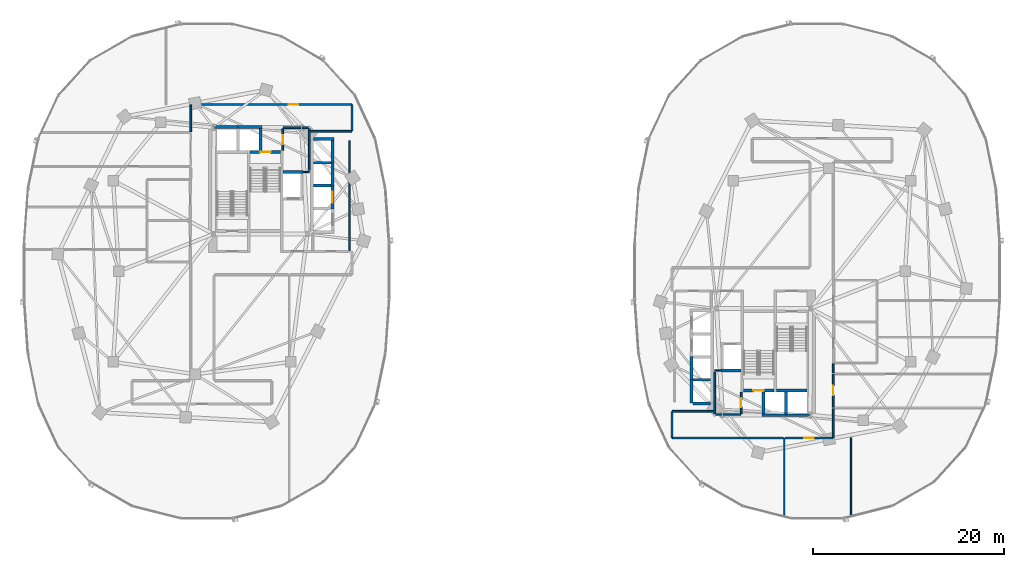
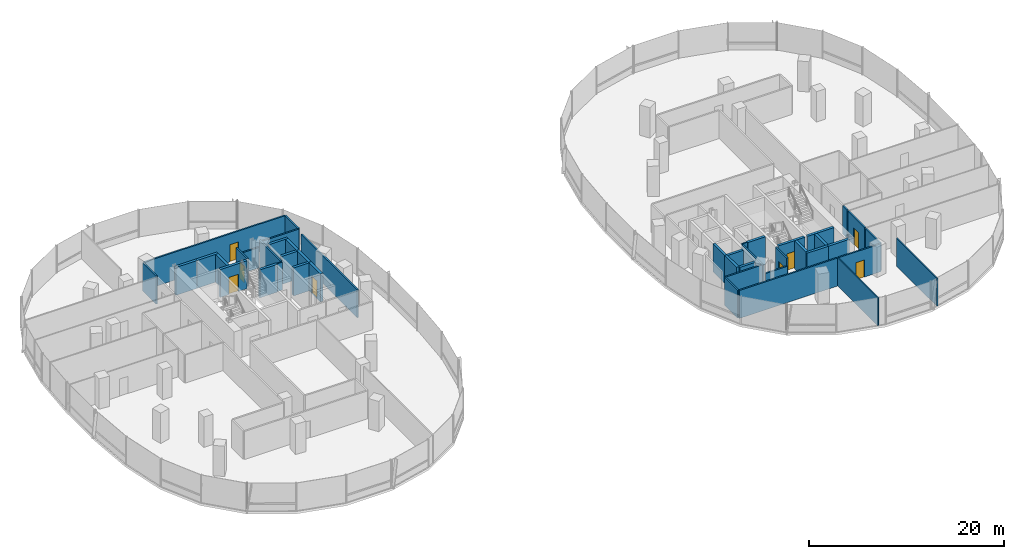
# One storey, part 12 of 21: 44 walls, 8 doors, 8 openings.
"""IFC4 building model written with IfcOpenShell, lengths in metres."""

from ifc_helpers import new_model, si_unit, direction, frame, frame_2d, origin, place, context, subcontext, project, spatial, rectangle, extrude, material, layer, layer_set, type_object, element, fill, save


model = new_model("IFC4")

# Units and contexts
model_context = context("Model", 3, precision=1e-05, world=origin(), true_north=direction((0.0, 1.0)))
body_context = subcontext(model_context, "Body", "Model", "MODEL_VIEW")
ifc_project = project(units=[si_unit("LENGTHUNIT", "METRE"), si_unit("AREAUNIT", "SQUARE_METRE"), si_unit("VOLUMEUNIT", "CUBIC_METRE"), si_unit("PLANEANGLEUNIT", "RADIAN"), si_unit("MASSUNIT", "GRAM", prefix="KILO"), si_unit("THERMODYNAMICTEMPERATUREUNIT", "KELVIN"), si_unit("POWERUNIT", "WATT")], contexts=[model_context])

# Site, building, storey
site_placement = place(None, origin())
site = spatial("IfcSite", under=ifc_project, at=site_placement, CompositionType="ELEMENT")
building_placement = place(site_placement, origin())
building = spatial("IfcBuilding", under=site, at=building_placement, Name="Cundina Bronze Exchange", CompositionType="ELEMENT")
storey_placement = place(building_placement, frame((0.0, 0.0, 31.60009765625)))
storey = spatial("IfcBuildingStorey", under=building, at=storey_placement, Name="L07", CompositionType="ELEMENT", Elevation=31.60009765625)

# Walls
ifc_material_1 = material(Name="Gypsum Fireboard Partition EI120")
ifc_layer_1 = layer(ifc_material_1, 0.179931640625, Name="Gypsum Fireboard Partition EI120")
ifc_layer_set_1 = layer_set([ifc_layer_1], Name="Gypsum Fireboard Partition EI120")
wall_type_1 = type_object("IfcWallType", Name="WL-COR-180", PredefinedType="PARTITIONING", material=ifc_layer_set_1)
wall_1_placement = place(storey_placement, frame((-17.02001953125, 2.169921875, 0.0), z_axis=(0.0, 0.0, 1.0), x_axis=(0.0, 1.0, 0.0)))
element("IfcWall", 1, at=wall_1_placement, inside=storey, type_object=wall_type_1, Name="L07 Interior Partition 001", PredefinedType="PARTITIONING", context=body_context, shape_type="SweptSolid", body=[
    extrude(rectangle(XDim=11.510009765625, YDim=0.179931640625, at=frame_2d((5.7548828125, 0.0))), origin(), (0.0, 0.0, 1.0), 3.5),
])
wall_2_placement = place(storey_placement, frame((-21.25, 10.570068359375, 0.0), z_axis=(0.0, 0.0, 1.0), x_axis=(0.0, 1.0, 0.0)))
element("IfcWall", 2, at=wall_2_placement, inside=storey, type_object=wall_type_1, Name="L07 Interior Partition 004", PredefinedType="PARTITIONING", context=body_context, shape_type="SweptSolid", body=[
    extrude(rectangle(XDim=4.35986328125, YDim=0.179931640625, at=frame_2d((2.179931640625, 0.0))), origin(), (0.0, 0.0, 1.0), 3.5),
])
wall_3_placement = place(storey_placement, frame((-23.9599609375, 15.030029296875, 0.0), z_axis=(0.0, 0.0, 1.0), x_axis=(1.0, 0.0, 0.0)))
element("IfcWall", 3, at=wall_3_placement, inside=storey, type_object=wall_type_1, Name="L07 Interior Partition 005", PredefinedType="PARTITIONING", context=body_context, shape_type="SweptSolid", body=[
    extrude(rectangle(XDim=2.60986328125, YDim=0.179931640625, at=frame_2d((1.304931640625, 0.0))), origin(), (0.0, 0.0, 1.0), 2.572998046875),
])

# Wall, opening, door
wall_4_placement = place(storey_placement, frame((-24.02001953125, 12.669921875, 0.0), z_axis=(0.0, 0.0, 1.0), x_axis=(0.0, 1.0, 0.0)))
wall_4 = element("IfcWall", 4, at=wall_4_placement, inside=storey, type_object=wall_type_1, Name="L07 Interior Partition 006", PredefinedType="PARTITIONING", context=body_context, shape_type="SweptSolid", body=[
    extrude(rectangle(XDim=2.260009765625, YDim=0.179931640625, at=frame_2d((1.1298828125, 0.0))), origin(), (0.0, 0.0, 1.0), 3.5),
])
opening_1_placement = place(wall_4_placement, frame((0.655029296875, 0.0, 0.0)))
opening_1 = element("IfcOpeningElement", 5, at=opening_1_placement, cuts=wall_4, Name="Opening DW-01", PredefinedType="OPENING", context=body_context, shape_type="SweptSolid", body=[
    extrude(rectangle(XDim=0.949951171875, YDim=2.10009765625, at=frame_2d((0.47509765625, 1.050048828125))), frame((0.0, 0.099853515625, 0.0), z_axis=(0.0, -1.0, 0.0), x_axis=(1.0, 0.0, 0.0)), (0.0, 0.0, 1.0), 0.199951171875),
])
ifc_material_2 = material(Name="Solid Andean Oak Timber Grade A", Category="wood")
door_type_1 = type_object("IfcDoorType", Name="DR-WC-950", OperationType="NOTDEFINED", PredefinedType="DOOR", material=ifc_material_2)
door_1_placement = place(opening_1_placement, origin())
door_1 = element("IfcDoor", 6, at=door_1_placement, inside=storey, type_object=door_type_1, Name="L07 Interior Door 006", OperationType="SINGLE_SWING_LEFT", OverallHeight=2.10009765625, OverallWidth=0.949951171875, PredefinedType="DOOR", context=body_context, shape_type="SweptSolid", body=[
    extrude(rectangle(XDim=0.949951171875, YDim=2.10009765625, at=frame_2d((0.47509765625, 1.050048828125))), frame((0.0, 0.02490234375, 0.0), z_axis=(0.0, -1.0, 0.0), x_axis=(1.0, 0.0, 0.0)), (0.0, 0.0, 1.0), 0.050048828125),
])
fill(opening_1, door_1)

wall_5_placement = place(storey_placement, frame((-16.821533203125, 17.469970703125, 0.0), z_axis=(0.0, 0.0, 1.0), x_axis=(-1.0, 0.0, 0.0)))
wall_5 = element("IfcWall", 7, at=wall_5_placement, inside=storey, type_object=wall_type_1, Name="L07 Interior Partition 028", PredefinedType="PARTITIONING", context=body_context, shape_type="SweptSolid", body=[
    extrude(rectangle(XDim=16.806884765625, YDim=0.179931640625, at=frame_2d((8.4033203125, 0.0))), origin(), (0.0, 0.0, 1.0), 3.5),
])
opening_2_placement = place(wall_5_placement, frame((5.568603515625, 0.0, 0.0)))
opening_2 = element("IfcOpeningElement", 8, at=opening_2_placement, cuts=wall_5, Name="Opening DO-01", PredefinedType="OPENING", context=body_context, shape_type="SweptSolid", body=[
    extrude(rectangle(XDim=1.0, YDim=2.14990234375, at=frame_2d((0.5, 1.074951171875))), frame((0.0, 0.099853515625, 0.0), z_axis=(0.0, -1.0, 0.0), x_axis=(1.0, 0.0, 0.0)), (0.0, 0.0, 1.0), 0.199951171875),
])
door_type_2 = type_object("IfcDoorType", Name="DR-OFF-1000", OperationType="NOTDEFINED", PredefinedType="DOOR", material=ifc_material_2)
door_2_placement = place(opening_2_placement, origin())
door_2 = element("IfcDoor", 9, at=door_2_placement, inside=storey, type_object=door_type_2, Name="L07 Interior Door 028", OperationType="SINGLE_SWING_LEFT", OverallHeight=2.14990234375, OverallWidth=1.0, PredefinedType="DOOR", context=body_context, shape_type="SweptSolid", body=[
    extrude(rectangle(XDim=1.0, YDim=2.14990234375, at=frame_2d((0.5, 1.074951171875))), frame((0.0, 0.02490234375, 0.0), z_axis=(0.0, -1.0, 0.0), x_axis=(1.0, 0.0, 0.0)), (0.0, 0.0, 1.0), 0.050048828125),
])
fill(opening_2, door_2)

# Walls
wall_6_placement = place(storey_placement, frame((-21.178466796875, 14.679931640625, 0.0), z_axis=(0.0, 0.0, 1.0), x_axis=(1.0, 0.0, 0.0)))
element("IfcWall", 10, at=wall_6_placement, inside=storey, type_object=wall_type_1, Name="L07 Interior Partition 030", PredefinedType="PARTITIONING", context=body_context, shape_type="SweptSolid", body=[
    extrude(rectangle(XDim=4.35693359375, YDim=0.179931640625, at=frame_2d((2.178466796875, 0.0))), origin(), (0.0, 0.0, 1.0), 3.5),
])
wall_7_placement = place(storey_placement, frame((-33.669921875, 17.428466796875, 0.0), z_axis=(0.0, 0.0, 1.0), x_axis=(0.0, -1.0, 0.0)))
element("IfcWall", 11, at=wall_7_placement, inside=storey, type_object=wall_type_1, Name="L07 Interior Partition 031", PredefinedType="PARTITIONING", context=body_context, shape_type="SweptSolid", body=[
    extrude(rectangle(XDim=2.818359375, YDim=0.179931640625, at=frame_2d((1.4091796875, 0.0))), origin(), (0.0, 0.0, 1.0), 3.5),
])
wall_8_placement = place(storey_placement, frame((-16.780029296875, 14.721435546875, 0.0), z_axis=(0.0, 0.0, 1.0), x_axis=(0.0, 1.0, 0.0)))
element("IfcWall", 12, at=wall_8_placement, inside=storey, type_object=wall_type_1, Name="L07 Interior Partition 032", PredefinedType="PARTITIONING", context=body_context, shape_type="SweptSolid", body=[
    extrude(rectangle(XDim=2.70703125, YDim=0.179931640625, at=frame_2d((1.353515625, 0.0))), origin(), (0.0, 0.0, 1.0), 3.5),
])
wall_9_placement = place(storey_placement, frame((21.25, -14.929931640625, 0.0), z_axis=(0.0, 0.0, 1.0), x_axis=(0.0, 1.0, 0.0)))
element("IfcWall", 13, at=wall_9_placement, inside=storey, type_object=wall_type_1, Name="L07 Interior Partition 041", PredefinedType="PARTITIONING", context=body_context, shape_type="SweptSolid", body=[
    extrude(rectangle(XDim=4.35986328125, YDim=0.179931640625, at=frame_2d((2.179931640625, 0.0))), origin(), (0.0, 0.0, 1.0), 3.5),
])
wall_10_placement = place(storey_placement, frame((21.35009765625, -15.030029296875, 0.0), z_axis=(0.0, 0.0, 1.0), x_axis=(1.0, 0.0, 0.0)))
element("IfcWall", 14, at=wall_10_placement, inside=storey, type_object=wall_type_1, Name="L07 Interior Partition 042", PredefinedType="PARTITIONING", context=body_context, shape_type="SweptSolid", body=[
    extrude(rectangle(XDim=2.60986328125, YDim=0.179931640625, at=frame_2d((1.304931640625, 0.0))), origin(), (0.0, 0.0, 1.0), 2.572998046875),
])

# Wall, opening, door
wall_11_placement = place(storey_placement, frame((24.02001953125, -14.929931640625, 0.0), z_axis=(0.0, 0.0, 1.0), x_axis=(0.0, 1.0, 0.0)))
wall_11 = element("IfcWall", 15, at=wall_11_placement, inside=storey, type_object=wall_type_1, Name="L07 Interior Partition 043", PredefinedType="PARTITIONING", context=body_context, shape_type="SweptSolid", body=[
    extrude(rectangle(XDim=2.260009765625, YDim=0.179931640625, at=frame_2d((1.1298828125, 0.0))), origin(), (0.0, 0.0, 1.0), 3.5),
])
opening_3_placement = place(wall_11_placement, frame((0.655029296875, 0.0, 0.0)))
opening_3 = element("IfcOpeningElement", 16, at=opening_3_placement, cuts=wall_11, Name="Opening DW-01", PredefinedType="OPENING", context=body_context, shape_type="SweptSolid", body=[
    extrude(rectangle(XDim=0.949951171875, YDim=2.10009765625, at=frame_2d((0.47509765625, 1.050048828125))), frame((0.0, 0.099853515625, 0.0), z_axis=(0.0, -1.0, 0.0), x_axis=(1.0, 0.0, 0.0)), (0.0, 0.0, 1.0), 0.199951171875),
])
door_3_placement = place(opening_3_placement, origin())
door_3 = element("IfcDoor", 17, at=door_3_placement, inside=storey, type_object=door_type_1, Name="L07 Interior Door 043", OperationType="SINGLE_SWING_RIGHT", OverallHeight=2.10009765625, OverallWidth=0.949951171875, PredefinedType="DOOR", context=body_context, shape_type="SweptSolid", body=[
    extrude(rectangle(XDim=0.949951171875, YDim=2.10009765625, at=frame_2d((0.47509765625, 1.050048828125))), frame((0.0, 0.02490234375, 0.0), z_axis=(0.0, -1.0, 0.0), x_axis=(1.0, 0.0, 0.0)), (0.0, 0.0, 1.0), 0.050048828125),
])
fill(opening_3, door_3)

wall_12_placement = place(storey_placement, frame((28.6298828125, -17.469970703125, 0.0), z_axis=(0.0, 0.0, 1.0), x_axis=(1.0, 0.0, 0.0)))
wall_12 = element("IfcWall", 18, at=wall_12_placement, inside=storey, type_object=wall_type_1, Name="L07 Interior Partition 057", PredefinedType="PARTITIONING", context=body_context, shape_type="SweptSolid", body=[
    extrude(rectangle(XDim=4.99853515625, YDim=0.179931640625, at=frame_2d((2.499267578125, 0.0))), origin(), (0.0, 0.0, 1.0), 3.5),
])
opening_4_placement = place(wall_12_placement, frame((1.999267578125, 0.0, 0.0)))
opening_4 = element("IfcOpeningElement", 19, at=opening_4_placement, cuts=wall_12, Name="Opening DO-01", PredefinedType="OPENING", context=body_context, shape_type="SweptSolid", body=[
    extrude(rectangle(XDim=1.0, YDim=2.14990234375, at=frame_2d((0.5, 1.074951171875))), frame((0.0, 0.099853515625, 0.0), z_axis=(0.0, -1.0, 0.0), x_axis=(1.0, 0.0, 0.0)), (0.0, 0.0, 1.0), 0.199951171875),
])
door_4_placement = place(opening_4_placement, origin())
door_4 = element("IfcDoor", 20, at=door_4_placement, inside=storey, type_object=door_type_2, Name="L07 Interior Door 057", OperationType="SINGLE_SWING_RIGHT", OverallHeight=2.14990234375, OverallWidth=1.0, PredefinedType="DOOR", context=body_context, shape_type="SweptSolid", body=[
    extrude(rectangle(XDim=1.0, YDim=2.14990234375, at=frame_2d((0.5, 1.074951171875))), frame((0.0, 0.02490234375, 0.0), z_axis=(0.0, -1.0, 0.0), x_axis=(1.0, 0.0, 0.0)), (0.0, 0.0, 1.0), 0.050048828125),
])
fill(opening_4, door_4)

# Wall
wall_13_placement = place(storey_placement, frame((33.669921875, -17.428466796875, 0.0), z_axis=(0.0, 0.0, 1.0), x_axis=(0.0, 1.0, 0.0)))
element("IfcWall", 21, at=wall_13_placement, inside=storey, type_object=wall_type_1, Name="L07 Interior Partition 058", PredefinedType="PARTITIONING", context=body_context, shape_type="SweptSolid", body=[
    extrude(rectangle(XDim=3.0185546875, YDim=0.179931640625, at=frame_2d((1.50927734375, 0.0))), origin(), (0.0, 0.0, 1.0), 3.5),
])

# Wall, opening, door
wall_14_placement = place(storey_placement, frame((33.669921875, -14.22998046875, 0.0), z_axis=(0.0, 0.0, 1.0), x_axis=(0.0, 1.0, 0.0)))
wall_14 = element("IfcWall", 22, at=wall_14_placement, inside=storey, type_object=wall_type_1, Name="L07 Interior Partition 059", PredefinedType="PARTITIONING", context=body_context, shape_type="SweptSolid", body=[
    extrude(rectangle(XDim=3.419921875, YDim=0.179931640625, at=frame_2d((1.7099609375, 0.0))), origin(), (0.0, 0.0, 1.0), 3.5),
])
opening_5_placement = place(wall_14_placement, frame((1.2099609375, 0.0, 0.0)))
opening_5 = element("IfcOpeningElement", 23, at=opening_5_placement, cuts=wall_14, Name="Opening DO-01", PredefinedType="OPENING", context=body_context, shape_type="SweptSolid", body=[
    extrude(rectangle(XDim=1.0, YDim=2.14990234375, at=frame_2d((0.5, 1.074951171875))), frame((0.0, 0.099853515625, 0.0), z_axis=(0.0, -1.0, 0.0), x_axis=(1.0, 0.0, 0.0)), (0.0, 0.0, 1.0), 0.199951171875),
])
door_5_placement = place(opening_5_placement, origin())
door_5 = element("IfcDoor", 24, at=door_5_placement, inside=storey, type_object=door_type_2, Name="L07 Interior Door 059", OperationType="SINGLE_SWING_RIGHT", OverallHeight=2.14990234375, OverallWidth=1.0, PredefinedType="DOOR", context=body_context, shape_type="SweptSolid", body=[
    extrude(rectangle(XDim=1.0, YDim=2.14990234375, at=frame_2d((0.5, 1.074951171875))), frame((0.0, 0.02490234375, 0.0), z_axis=(0.0, -1.0, 0.0), x_axis=(1.0, 0.0, 0.0)), (0.0, 0.0, 1.0), 0.050048828125),
])
fill(opening_5, door_5)

# Walls
wall_15_placement = place(storey_placement, frame((33.669921875, -10.6298828125, 0.0), z_axis=(0.0, 0.0, 1.0), x_axis=(0.0, 1.0, 0.0)))
element("IfcWall", 25, at=wall_15_placement, inside=storey, type_object=wall_type_1, Name="L07 Interior Partition 060", PredefinedType="PARTITIONING", context=body_context, shape_type="SweptSolid", body=[
    extrude(rectangle(XDim=0.928466796875, YDim=0.179931640625, at=frame_2d((0.46435546875, 0.0))), origin(), (0.0, 0.0, 1.0), 3.5),
])
wall_16_placement = place(storey_placement, frame((16.821533203125, -17.469970703125, 0.0), z_axis=(0.0, 0.0, 1.0), x_axis=(1.0, 0.0, 0.0)))
element("IfcWall", 26, at=wall_16_placement, inside=storey, type_object=wall_type_1, Name="L07 Interior Partition 064", PredefinedType="PARTITIONING", context=body_context, shape_type="SweptSolid", body=[
    extrude(rectangle(XDim=11.62841796875, YDim=0.179931640625, at=frame_2d((5.814208984375, 0.0))), origin(), (0.0, 0.0, 1.0), 3.5),
])
wall_17_placement = place(storey_placement, frame((21.178466796875, -14.679931640625, 0.0), z_axis=(0.0, 0.0, 1.0), x_axis=(-1.0, 0.0, 0.0)))
element("IfcWall", 27, at=wall_17_placement, inside=storey, type_object=wall_type_1, Name="L07 Interior Partition 068", PredefinedType="PARTITIONING", context=body_context, shape_type="SweptSolid", body=[
    extrude(rectangle(XDim=4.35693359375, YDim=0.179931640625, at=frame_2d((2.178466796875, 0.0))), origin(), (0.0, 0.0, 1.0), 3.5),
])
wall_18_placement = place(storey_placement, frame((16.780029296875, -14.721435546875, 0.0), z_axis=(0.0, 0.0, 1.0), x_axis=(0.0, -1.0, 0.0)))
element("IfcWall", 28, at=wall_18_placement, inside=storey, type_object=wall_type_1, Name="L07 Interior Partition 069", PredefinedType="PARTITIONING", context=body_context, shape_type="SweptSolid", body=[
    extrude(rectangle(XDim=2.70703125, YDim=0.179931640625, at=frame_2d((1.353515625, 0.0))), origin(), (0.0, 0.0, 1.0), 3.5),
])
ifc_material_3 = material(Name="Gypsum Acoustic Partition EI60")
ifc_layer_2 = layer(ifc_material_3, 0.125, Name="Gypsum Acoustic Partition EI60")
ifc_layer_set_2 = layer_set([ifc_layer_2], Name="Gypsum Acoustic Partition EI60")
wall_type_2 = type_object("IfcWallType", Name="WL-OFF-125", PredefinedType="PARTITIONING", material=ifc_layer_set_2)
wall_19_placement = place(storey_placement, frame((28.5400390625, -25.793701171875, 0.0), z_axis=(0.0, 0.0, 1.0), x_axis=(0.0, 1.0, 0.0)))
element("IfcWall", 29, at=wall_19_placement, inside=storey, type_object=wall_type_2, Name="L07 Interior Partition 055", PredefinedType="PARTITIONING", context=body_context, shape_type="SweptSolid", body=[
    extrude(rectangle(XDim=8.293701171875, YDim=0.125, at=frame_2d((4.14697265625, 0.0))), origin(), (0.0, 0.0, 1.0), 3.5),
])
wall_20_placement = place(storey_placement, frame((35.5400390625, -25.7734375, 0.0), z_axis=(0.0, 0.0, 1.0), x_axis=(0.0, 1.0, 0.0)))
element("IfcWall", 30, at=wall_20_placement, inside=storey, type_object=wall_type_2, Name="L07 Interior Partition 056", PredefinedType="PARTITIONING", context=body_context, shape_type="SweptSolid", body=[
    extrude(rectangle(XDim=8.303466796875, YDim=0.125, at=frame_2d((4.15185546875, 0.0))), origin(), (0.0, 0.0, 1.0), 3.5),
])

# Wall, opening, door
ifc_material_4 = material(Name="Concrete C50/60", Category="concrete")
ifc_layer_3 = layer(ifc_material_4, 0.300048828125, Name="Concrete C50/60", Category="concrete")
ifc_layer_set_3 = layer_set([ifc_layer_3], Name="Concrete C50/60")
wall_type_3 = type_object("IfcWallType", Name="WL-SHFT-300", PredefinedType="SHEAR", material=ifc_layer_set_3)
wall_21_placement = place(storey_placement, frame((-27.43994140625, 12.5, 0.0), z_axis=(0.0, 0.0, 1.0), x_axis=(1.0, 0.0, 0.0)))
wall_21 = element("IfcWall", 31, at=wall_21_placement, inside=storey, type_object=wall_type_3, Name="L07 Stair W2 Landing Wall", PredefinedType="SHEAR", context=body_context, shape_type="SweptSolid", body=[
    extrude(rectangle(XDim=3.159912109375, YDim=0.300048828125, at=frame_2d((1.580078125, 0.0))), origin(), (0.0, 0.0, 1.0), 3.5),
])
opening_6_placement = place(wall_21_placement, frame((1.030029296875, 0.0, 0.0)))
opening_6 = element("IfcOpeningElement", 32, at=opening_6_placement, cuts=wall_21, Name="Opening DS-01", PredefinedType="OPENING", context=body_context, shape_type="SweptSolid", body=[
    extrude(rectangle(XDim=1.10009765625, YDim=2.14990234375, at=frame_2d((0.550048828125, 1.074951171875))), frame((0.0, 0.159912109375, 0.0), z_axis=(0.0, -1.0, 0.0), x_axis=(1.0, 0.0, 0.0)), (0.0, 0.0, 1.0), 0.320068359375),
])
ifc_material_5 = material(Name="Steel ASTM A36 Painted", Category="steel")
door_type_3 = type_object("IfcDoorType", Name="DR-STR-1100", OperationType="NOTDEFINED", PredefinedType="DOOR", material=ifc_material_5)
door_6_placement = place(opening_6_placement, origin())
door_6 = element("IfcDoor", 33, at=door_6_placement, inside=storey, type_object=door_type_3, Name="L07 Smokeproof Stair W2 Door", OperationType="SINGLE_SWING_LEFT", OverallHeight=2.14990234375, OverallWidth=1.10009765625, PredefinedType="DOOR", context=body_context, shape_type="SweptSolid", body=[
    extrude(rectangle(XDim=1.10009765625, YDim=2.14990234375, at=frame_2d((0.550048828125, 1.074951171875))), frame((0.0, 0.02490234375, 0.0), z_axis=(0.0, -1.0, 0.0), x_axis=(1.0, 0.0, 0.0)), (0.0, 0.0, 1.0), 0.050048828125),
])
fill(opening_6, door_6)

# Walls
wall_22_placement = place(storey_placement, frame((-23.97998046875, 10.39990234375, 0.0), z_axis=(0.0, 0.0, 1.0), x_axis=(1.0, 0.0, 0.0)))
element("IfcWall", 34, at=wall_22_placement, inside=storey, type_object=wall_type_3, Name="L07 FFL-W Hoistway Back Wall", PredefinedType="SHEAR", context=body_context, shape_type="SweptSolid", body=[
    extrude(rectangle(XDim=2.10009765625, YDim=0.300048828125, at=frame_2d((1.050048828125, 0.0))), origin(), (0.0, 0.0, 1.0), 3.5),
])
for number, where, z_axis, x_axis, name in (
    (35, (-31.199951171875, 15.10009765625, 0.0), (0.0, 0.0, 1.0), (1.0, 0.0, 0.0), "L07 PH-W1 Hoistway Front Wall"),
    (36, (-28.699951171875, 15.10009765625, 0.0), (0.0, 0.0, 1.0), (1.0, 0.0, 0.0), "L07 PH-W2 Hoistway Front Wall"),
):
    element("IfcWall", number, at=place(storey_placement, frame(where, z_axis=z_axis, x_axis=x_axis)), inside=storey, type_object=wall_type_3, Name=name, PredefinedType="SHEAR", context=body_context, shape_type="SweptSolid", body=[
        extrude(rectangle(XDim=2.5, YDim=0.300048828125, at=frame_2d((1.25, 0.0))), origin(), (0.0, 0.0, 1.0), 3.5),
    ])
wall_23_placement = place(storey_placement, frame((-26.35009765625, 12.64990234375, 0.0), z_axis=(0.0, 0.0, 1.0), x_axis=(0.0, 1.0, 0.0)))
element("IfcWall", 37, at=wall_23_placement, inside=storey, type_object=wall_type_3, Name="L07 PH-W2 Hoistway Divider Wall", PredefinedType="SHEAR", context=body_context, shape_type="SweptSolid", body=[
    extrude(rectangle(XDim=2.300048828125, YDim=0.300048828125, at=frame_2d((1.14990234375, 0.0))), origin(), (0.0, 0.0, 1.0), 3.5),
])
wall_24_placement = place(storey_placement, frame((-20.800048828125, 13.85009765625, 0.0), z_axis=(0.0, 0.0, 1.0), x_axis=(1.0, 0.0, 0.0)))
element("IfcWall", 38, at=wall_24_placement, inside=storey, type_object=wall_type_3, Name="L07 W Passenger Bank North Cap Wall", PredefinedType="SHEAR", context=body_context, shape_type="SweptSolid", body=[
    extrude(rectangle(XDim=2.150146484375, YDim=0.300048828125, at=frame_2d((1.0751953125, 0.0))), origin(), (0.0, 0.0, 1.0), 3.5),
])
for number, where, z_axis, x_axis, name in (
    (39, (-20.800048828125, 8.97509765625, 0.0), (0.0, 0.0, 1.0), (1.0, 0.0, 0.0), "L07 W Passenger Hoistway Divider 2"),
    (40, (-20.800048828125, 11.375, 0.0), (0.0, 0.0, 1.0), (1.0, 0.0, 0.0), "L07 W Passenger Hoistway Divider 3"),
):
    element("IfcWall", number, at=place(storey_placement, frame(where, z_axis=z_axis, x_axis=x_axis)), inside=storey, type_object=wall_type_3, Name=name, PredefinedType="SHEAR", context=body_context, shape_type="SweptSolid", body=[
        extrude(rectangle(XDim=1.85009765625, YDim=0.300048828125, at=frame_2d((0.925048828125, 0.0))), origin(), (0.0, 0.0, 1.0), 3.5),
    ])

# Wall, opening, door
wall_25_placement = place(storey_placement, frame((-18.800048828125, 6.530029296875, 0.0), z_axis=(0.0, 0.0, 1.0), x_axis=(0.0, 1.0, 0.0)))
wall_25 = element("IfcWall", 41, at=wall_25_placement, inside=storey, type_object=wall_type_3, Name="L07 PL-W1 Hoistway Front Wall", PredefinedType="SHEAR", context=body_context, shape_type="SweptSolid", body=[
    extrude(rectangle(XDim=2.489990234375, YDim=0.300048828125, at=frame_2d((1.2451171875, 0.0))), origin(), (0.0, 0.0, 1.0), 3.5),
])
opening_7_placement = place(wall_25_placement, frame((0.669921875, 0.0, 0.0)))
opening_7 = element("IfcOpeningElement", 42, at=opening_7_placement, cuts=wall_25, Name="Opening LD-01", PredefinedType="OPENING", context=body_context, shape_type="SweptSolid", body=[
    extrude(rectangle(XDim=1.14990234375, YDim=2.199951171875, at=frame_2d((0.574951171875, 1.10009765625))), frame((0.0, 0.159912109375, 0.0), z_axis=(0.0, -1.0, 0.0), x_axis=(1.0, 0.0, 0.0)), (0.0, 0.0, 1.0), 0.320068359375),
])
door_type_4 = type_object("IfcDoorType", Name="DR-LND-1150", OperationType="NOTDEFINED", PredefinedType="TRAPDOOR", material=ifc_material_5)
door_7_placement = place(opening_7_placement, origin())
door_7 = element("IfcDoor", 43, at=door_7_placement, inside=storey, type_object=door_type_4, Name="L07 PL-W1 Sliding Landing Door", OperationType="SLIDING_TO_LEFT", OverallHeight=2.199951171875, OverallWidth=1.14990234375, PredefinedType="TRAPDOOR", context=body_context, shape_type="SweptSolid", body=[
    extrude(rectangle(XDim=1.14990234375, YDim=2.199951171875, at=frame_2d((0.574951171875, 1.10009765625))), frame((0.0, 0.02490234375, 0.0), z_axis=(0.0, -1.0, 0.0), x_axis=(1.0, 0.0, 0.0)), (0.0, 0.0, 1.0), 0.050048828125),
])
fill(opening_7, door_7)

# Walls
for number, where, z_axis, x_axis, name in (
    (44, (-18.800048828125, 8.929931640625, 0.0), (0.0, 0.0, 1.0), (0.0, 1.0, 0.0), "L07 PM-W2 Hoistway Front Wall"),
    (45, (-18.800048828125, 11.330078125, 0.0), (0.0, 0.0, 1.0), (0.0, 1.0, 0.0), "L07 PM-W1 Hoistway Front Wall"),
):
    element("IfcWall", number, at=place(storey_placement, frame(where, z_axis=z_axis, x_axis=x_axis)), inside=storey, type_object=wall_type_3, Name=name, PredefinedType="SHEAR", context=body_context, shape_type="SweptSolid", body=[
        extrude(rectangle(XDim=2.489990234375, YDim=0.300048828125, at=frame_2d((1.2451171875, 0.0))), origin(), (0.0, 0.0, 1.0), 3.5),
    ])
wall_26_placement = place(storey_placement, frame((27.739990234375, -12.5, 0.0), z_axis=(0.0, 0.0, 1.0), x_axis=(1.0, 0.0, 0.0)))
element("IfcWall", 46, at=wall_26_placement, inside=storey, type_object=wall_type_3, Name="L07 Stair E1 Far Shaft Wall", PredefinedType="SHEAR", context=body_context, shape_type="SweptSolid", body=[
    extrude(rectangle(XDim=3.159912109375, YDim=0.300048828125, at=frame_2d((1.580078125, 0.0))), origin(), (0.0, 0.0, 1.0), 3.5),
])

# Wall, opening, door
wall_27_placement = place(storey_placement, frame((24.280029296875, -12.5, 0.0), z_axis=(0.0, 0.0, 1.0), x_axis=(1.0, 0.0, 0.0)))
wall_27 = element("IfcWall", 47, at=wall_27_placement, inside=storey, type_object=wall_type_3, Name="L07 Stair E2 Landing Wall", PredefinedType="SHEAR", context=body_context, shape_type="SweptSolid", body=[
    extrude(rectangle(XDim=3.159912109375, YDim=0.300048828125, at=frame_2d((1.580078125, 0.0))), origin(), (0.0, 0.0, 1.0), 3.5),
])
opening_8_placement = place(wall_27_placement, frame((1.030029296875, 0.0, 0.0)))
opening_8 = element("IfcOpeningElement", 48, at=opening_8_placement, cuts=wall_27, Name="Opening DS-01", PredefinedType="OPENING", context=body_context, shape_type="SweptSolid", body=[
    extrude(rectangle(XDim=1.10009765625, YDim=2.14990234375, at=frame_2d((0.550048828125, 1.074951171875))), frame((0.0, 0.159912109375, 0.0), z_axis=(0.0, -1.0, 0.0), x_axis=(1.0, 0.0, 0.0)), (0.0, 0.0, 1.0), 0.320068359375),
])
door_8_placement = place(opening_8_placement, origin())
door_8 = element("IfcDoor", 49, at=door_8_placement, inside=storey, type_object=door_type_3, Name="L07 Smokeproof Stair E2 Door", OperationType="SINGLE_SWING_RIGHT", OverallHeight=2.14990234375, OverallWidth=1.10009765625, PredefinedType="DOOR", context=body_context, shape_type="SweptSolid", body=[
    extrude(rectangle(XDim=1.10009765625, YDim=2.14990234375, at=frame_2d((0.550048828125, 1.074951171875))), frame((0.0, 0.02490234375, 0.0), z_axis=(0.0, -1.0, 0.0), x_axis=(1.0, 0.0, 0.0)), (0.0, 0.0, 1.0), 0.050048828125),
])
fill(opening_8, door_8)

# Walls
wall_28_placement = place(storey_placement, frame((21.8798828125, -10.39990234375, 0.0), z_axis=(0.0, 0.0, 1.0), x_axis=(1.0, 0.0, 0.0)))
element("IfcWall", 50, at=wall_28_placement, inside=storey, type_object=wall_type_3, Name="L07 FFL-E Hoistway Back Wall", PredefinedType="SHEAR", context=body_context, shape_type="SweptSolid", body=[
    extrude(rectangle(XDim=2.10009765625, YDim=0.300048828125, at=frame_2d((1.050048828125, 0.0))), origin(), (0.0, 0.0, 1.0), 3.5),
])
wall_29_placement = place(storey_placement, frame((28.699951171875, -15.10009765625, 0.0), z_axis=(0.0, 0.0, 1.0), x_axis=(1.0, 0.0, 0.0)))
element("IfcWall", 51, at=wall_29_placement, inside=storey, type_object=wall_type_3, Name="L07 PH-E1 Hoistway Front Wall", PredefinedType="SHEAR", context=body_context, shape_type="SweptSolid", body=[
    extrude(rectangle(XDim=2.5, YDim=0.300048828125, at=frame_2d((1.25, 0.0))), origin(), (0.0, 0.0, 1.0), 3.5),
])
wall_30_placement = place(storey_placement, frame((28.699951171875, -14.949951171875, 0.0), z_axis=(0.0, 0.0, 1.0), x_axis=(0.0, 1.0, 0.0)))
element("IfcWall", 52, at=wall_30_placement, inside=storey, type_object=wall_type_3, Name="L07 PH-E1 Hoistway Divider Wall", PredefinedType="SHEAR", context=body_context, shape_type="SweptSolid", body=[
    extrude(rectangle(XDim=2.300048828125, YDim=0.300048828125, at=frame_2d((1.14990234375, 0.0))), origin(), (0.0, 0.0, 1.0), 3.5),
])
wall_31_placement = place(storey_placement, frame((26.199951171875, -15.10009765625, 0.0), z_axis=(0.0, 0.0, 1.0), x_axis=(1.0, 0.0, 0.0)))
element("IfcWall", 53, at=wall_31_placement, inside=storey, type_object=wall_type_3, Name="L07 PH-E2 Hoistway Front Wall", PredefinedType="SHEAR", context=body_context, shape_type="SweptSolid", body=[
    extrude(rectangle(XDim=2.5, YDim=0.300048828125, at=frame_2d((1.25, 0.0))), origin(), (0.0, 0.0, 1.0), 3.5),
])
wall_32_placement = place(storey_placement, frame((26.35009765625, -14.949951171875, 0.0), z_axis=(0.0, 0.0, 1.0), x_axis=(0.0, 1.0, 0.0)))
element("IfcWall", 54, at=wall_32_placement, inside=storey, type_object=wall_type_3, Name="L07 PH-E2 Hoistway Divider Wall", PredefinedType="SHEAR", context=body_context, shape_type="SweptSolid", body=[
    extrude(rectangle(XDim=2.300048828125, YDim=0.300048828125, at=frame_2d((1.14990234375, 0.0))), origin(), (0.0, 0.0, 1.0), 3.5),
])
for number, where, z_axis, x_axis, name in (
    (55, (18.949951171875, -13.85009765625, 0.0), (0.0, 0.0, 1.0), (1.0, 0.0, 0.0), "L07 E Passenger Bank South Cap Wall"),
    (56, (18.949951171875, -11.375, 0.0), (0.0, 0.0, 1.0), (1.0, 0.0, 0.0), "L07 E Passenger Hoistway Divider 1"),
):
    element("IfcWall", number, at=place(storey_placement, frame(where, z_axis=z_axis, x_axis=x_axis)), inside=storey, type_object=wall_type_3, Name=name, PredefinedType="SHEAR", context=body_context, shape_type="SweptSolid", body=[
        extrude(rectangle(XDim=1.85009765625, YDim=0.300048828125, at=frame_2d((0.925048828125, 0.0))), origin(), (0.0, 0.0, 1.0), 3.5),
    ])
for number, where, z_axis, x_axis, name in (
    (57, (18.800048828125, -13.820068359375, 0.0), (0.0, 0.0, 1.0), (0.0, 1.0, 0.0), "L07 PM-E1 Hoistway Front Wall"),
    (58, (18.800048828125, -11.419921875, 0.0), (0.0, 0.0, 1.0), (0.0, 1.0, 0.0), "L07 PM-E2 Hoistway Front Wall"),
):
    element("IfcWall", number, at=place(storey_placement, frame(where, z_axis=z_axis, x_axis=x_axis)), inside=storey, type_object=wall_type_3, Name=name, PredefinedType="SHEAR", context=body_context, shape_type="SweptSolid", body=[
        extrude(rectangle(XDim=2.489990234375, YDim=0.300048828125, at=frame_2d((1.2451171875, 0.0))), origin(), (0.0, 0.0, 1.0), 3.5),
    ])
ifc_material_6 = material(Name="Moisture-Resistant Masonry Block Grade M15", Category="masonry")
ifc_layer_4 = layer(ifc_material_6, 0.139892578125, Name="Moisture-Resistant Masonry Block Grade M15", Category="masonry")
ifc_layer_set_4 = layer_set([ifc_layer_4], Name="Moisture-Resistant Masonry Block Grade M15")
wall_type_4 = type_object("IfcWallType", Name="WL-WET-140", PredefinedType="PARTITIONING", material=ifc_layer_set_4)
for number, where, z_axis, x_axis, name in (
    (59, (-21.860107421875, 10.39990234375, 0.0), (0.0, 0.0, 1.0), (1.0, 0.0, 0.0), "L07 Interior Partition 003"),
    (60, (21.27001953125, -10.39990234375, 0.0), (0.0, 0.0, 1.0), (1.0, 0.0, 0.0), "L07 Interior Partition 040"),
):
    element("IfcWall", number, at=place(storey_placement, frame(where, z_axis=z_axis, x_axis=x_axis)), inside=storey, type_object=wall_type_4, Name=name, PredefinedType="PARTITIONING", context=body_context, shape_type="SweptSolid", body=[
        extrude(rectangle(XDim=0.590087890625, YDim=0.139892578125, at=frame_2d((0.294921875, 0.0))), origin(), (0.0, 0.0, 1.0), 3.5),
    ])

save(model, "model.ifc")
